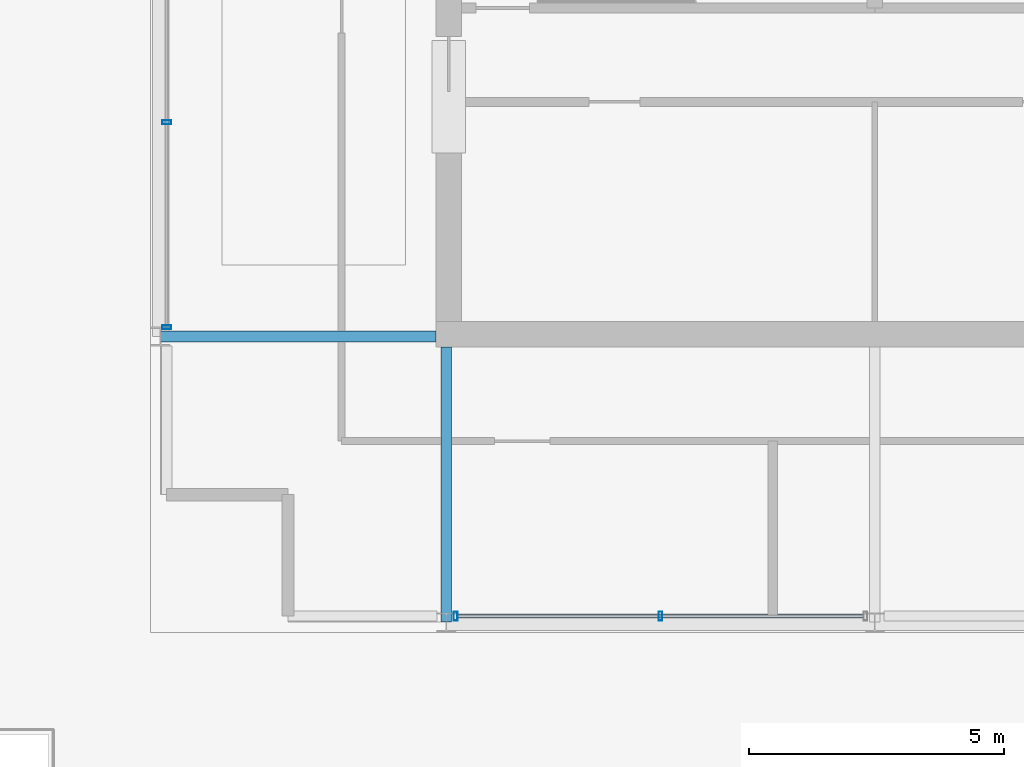
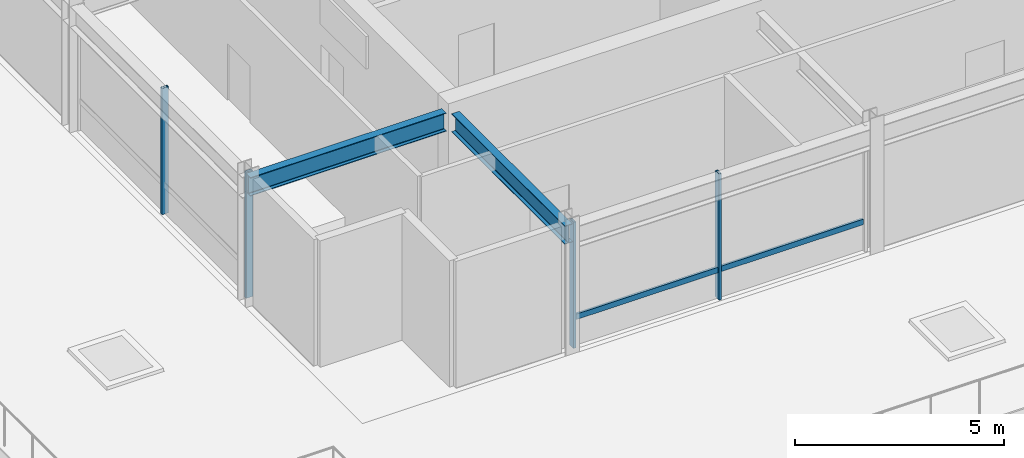
# One storey, part 2 of 17: 5 members, 2 beams, 2 elements without a shape of their own.
"""IFC4 building model written with IfcOpenShell, lengths in metres."""

from ifc_helpers import new_model, si_unit, direction, frame, origin, origin_2d, place, context, subcontext, project, spatial, hollow_rectangle, i_section, extrude, material, layer, layer_set, material_profile, profile_set, type_object, element, aggregate, save


model = new_model("IFC4")

# Units and contexts
model_context = context("Model", 3, precision=1e-05, world=origin(), true_north=direction((0.0, 1.0)))
body_context = subcontext(model_context, "Body", "Model", "MODEL_VIEW")
ifc_project = project(units=[si_unit("LENGTHUNIT", "METRE"), si_unit("AREAUNIT", "SQUARE_METRE"), si_unit("VOLUMEUNIT", "CUBIC_METRE"), si_unit("PLANEANGLEUNIT", "RADIAN"), si_unit("MASSUNIT", "GRAM", prefix="KILO")], contexts=[model_context])

# Site, building, storey
site_placement = place(None, origin())
site = spatial("IfcSite", under=ifc_project, at=site_placement, CompositionType="ELEMENT")
building_placement = place(site_placement, origin())
building = spatial("IfcBuilding", under=site, at=building_placement, Name="Drelvath Grand Hotel", CompositionType="ELEMENT")
storey_placement = place(building_placement, frame((0.0, 0.0, 311.39990234375)))
storey = spatial("IfcBuildingStorey", under=building, at=storey_placement, Name="L81", CompositionType="ELEMENT", Elevation=311.39990234375)

# Curtain wall, member
ifc_material_1 = material(Name="Pale-Metal Anodised Aluminium Crown Frame", Category="aluminium")
ifc_layer = layer(ifc_material_1, 0.199951171875)
ifc_layer_set = layer_set([ifc_layer], Name="Pale-Metal Anodised Aluminium Crown Frame")
curtain_wall_type = type_object("IfcCurtainWallType", Name="Stick Curtain Wall CW-06 Pale-Metal Crown Clerestory", PredefinedType="NOTDEFINED", material=ifc_layer_set)
curtain_wall_1_placement = place(storey_placement, origin())
curtain_wall_1 = element("IfcCurtainWall", 1, at=curtain_wall_1_placement, inside=storey, type_object=curtain_wall_type, Name="L81 CW-06 Curtain Wall CW06-L81-S", PredefinedType="NOTDEFINED")
ifc_material_profile_1 = material_profile(ifc_material_1, hollow_rectangle(XDim=0.06494140625, YDim=0.159912109375, WallThickness=0.00390625, at=origin_2d()), Name="HSS160X65X4")
ifc_profile_set_1 = profile_set([ifc_material_profile_1], Name="Pale-Metal Anodised Aluminium Crown Frame")
member_type_1 = type_object("IfcMemberType", Name="Curtain Wall Horizontal Transom CW-06 HSS160X65X4", PredefinedType="USERDEFINED", material=ifc_profile_set_1)
member_1_placement = place(storey_placement, frame((-0.222900390625, 13.1201171875, 0.85009765625), z_axis=(-1.0, 0.0, 0.0), x_axis=(0.0, -1.0, 0.0)))
member_1 = element("IfcMember", 2, at=member_1_placement, type_object=member_type_1, Name="CW06-L81-S Sill Transom", ObjectType="TRANSOM", PredefinedType="USERDEFINED", context=body_context, shape_type="SweptSolid", body=[
    extrude(hollow_rectangle(XDim=0.06494140625, YDim=0.159912109375, WallThickness=0.00390625, at=origin_2d()), origin(), (0.0, 0.0, 1.0), 7.9541015625),
])

# Curtain wall, members
curtain_wall_2_placement = place(storey_placement, origin())
curtain_wall_2 = element("IfcCurtainWall", 3, at=curtain_wall_2_placement, inside=storey, type_object=curtain_wall_type, Name="L81 CW-06 Curtain Wall CW06-L81-W", PredefinedType="NOTDEFINED")
ifc_material_profile_2 = material_profile(ifc_material_1, hollow_rectangle(XDim=0.074951171875, YDim=0.179931640625, WallThickness=0.0048828125, at=origin_2d()), Name="HSS180X75X5")
ifc_profile_set_2 = profile_set([ifc_material_profile_2], Name="Pale-Metal Anodised Aluminium Crown Frame")
member_type_2 = type_object("IfcMemberType", Name="Curtain Wall Vertical Mullion CW-06 HSS180X75X5", PredefinedType="MULLION", material=ifc_profile_set_2)
member_2_placement = place(storey_placement, frame((-13.8798828125, 18.7822265625, 0.0), z_axis=(0.0, 0.0, 1.0), x_axis=(0.0, 1.0, 0.0)))
member_2 = element("IfcMember", 4, at=member_2_placement, type_object=member_type_2, Name="CW06-L81-W Mullion 1", PredefinedType="MULLION", context=body_context, shape_type="SweptSolid", body=[
    extrude(hollow_rectangle(XDim=0.074951171875, YDim=0.179931640625, WallThickness=0.0048828125, at=origin_2d()), origin(), (0.0, 0.0, 1.0), 3.68017578125),
])
member_3_placement = place(storey_placement, frame((-13.8798828125, 22.800048828125, 0.0), z_axis=(0.0, 0.0, 1.0), x_axis=(0.0, 1.0, 0.0)))
member_3 = element("IfcMember", 5, at=member_3_placement, type_object=member_type_2, Name="CW06-L81-W Mullion 2", PredefinedType="MULLION", context=body_context, shape_type="SweptSolid", body=[
    extrude(hollow_rectangle(XDim=0.074951171875, YDim=0.179931640625, WallThickness=0.0048828125, at=origin_2d()), origin(), (0.0, 0.0, 1.0), 3.68017578125),
])
aggregate(curtain_wall_2, [member_2, member_3])

# Member
member_4_placement = place(storey_placement, frame((-4.199951171875, 13.1201171875, 0.0), z_axis=(0.0, 0.0, 1.0), x_axis=(1.0, 0.0, 0.0)))
member_4 = element("IfcMember", 6, at=member_4_placement, type_object=member_type_2, Name="CW06-L81-S Mullion 2", PredefinedType="MULLION", context=body_context, shape_type="SweptSolid", body=[
    extrude(hollow_rectangle(XDim=0.074951171875, YDim=0.179931640625, WallThickness=0.0048828125, at=origin_2d()), origin(), (0.0, 0.0, 1.0), 3.68017578125),
])

member_5_placement = place(storey_placement, frame((-8.217041015625, 13.1201171875, 0.0), z_axis=(0.0, 0.0, 1.0), x_axis=(1.0, 0.0, 0.0)))
member_5 = element("IfcMember", 7, at=member_5_placement, type_object=member_type_2, Name="CW06-L81-S Mullion 3", PredefinedType="MULLION", context=body_context, shape_type="SweptSolid", body=[
    extrude(hollow_rectangle(XDim=0.074951171875, YDim=0.179931640625, WallThickness=0.0048828125, at=origin_2d()), origin(), (0.0, 0.0, 1.0), 3.68017578125),
])

aggregate(curtain_wall_1, [member_4, member_5, member_1])

# Beams
ifc_material_2 = material(Name="Steel ASTM A992 Gr 50", Category="steel")
ifc_material_profile_3 = material_profile(ifc_material_2, i_section(OverallWidth=0.210205078125, OverallDepth=0.53662109375, WebThickness=0.010986328125, FlangeThickness=0.017333984375, FilletRadius=0.01806640625, at=origin_2d()), Name="W21X68")
ifc_profile_set_3 = profile_set([ifc_material_profile_3], Name="Steel ASTM A992 Gr 50")
beam_type = type_object("IfcBeamType", Name="Primary Floor Girder W21X68", PredefinedType="BEAM", material=ifc_profile_set_3)
for number, where, z_axis, x_axis, name in (
    (8, (-14.0, 18.60009765625, 3.41162109375), (1.0, 0.0, 0.0), (0.0, 1.0, 0.0), "L81 Crown Drum Tie West D"),
    (9, (-8.39990234375, 13.0, 3.41162109375), (0.0, 1.0, 0.0), (-1.0, 0.0, 0.0), "L81 Crown Drum Tie South 4"),
):
    element("IfcBeam", number, at=place(storey_placement, frame(where, z_axis=z_axis, x_axis=x_axis)), inside=storey, type_object=beam_type, Name=name, PredefinedType="BEAM", context=body_context, shape_type="SweptSolid", body=[
        extrude(i_section(OverallWidth=0.210205078125, OverallDepth=0.53662109375, WebThickness=0.010986328125, FlangeThickness=0.017333984375, FilletRadius=0.01806640625, at=origin_2d()), origin(), (0.0, 0.0, 1.0), 5.39990234375),
    ])

save(model, "model.ifc")
